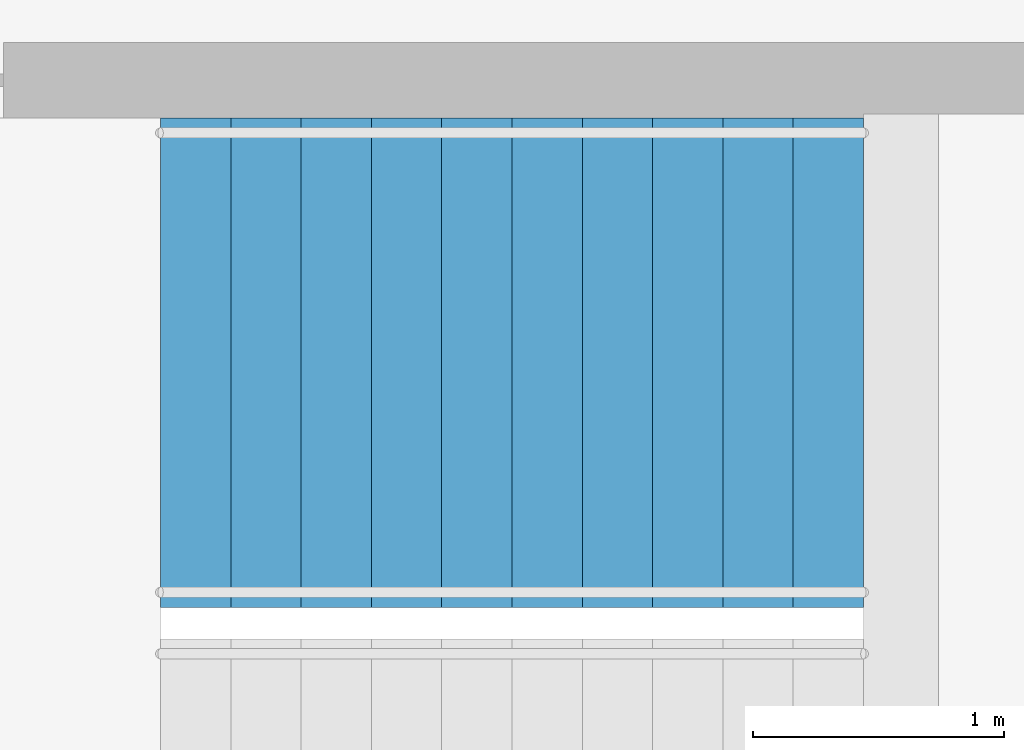
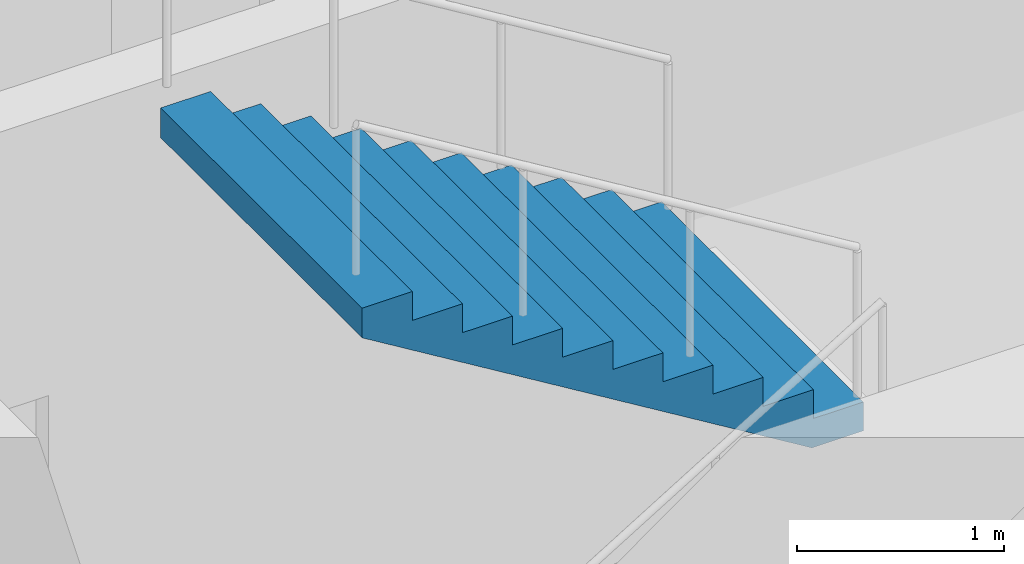
# One storey, part 20 of 23: 1 stair flight, 1 element without a shape of its own.
"""IFC4 building model written with IfcOpenShell, lengths in metres."""

from ifc_helpers import new_model, si_unit, direction, frame, origin, place, context, subcontext, project, spatial, triangles, material, type_object, element, aggregate, save


model = new_model("IFC4")

# Units and contexts
model_context = context("Model", 3, precision=1e-05, world=origin(), true_north=direction((0.0, 1.0)))
body_context = subcontext(model_context, "Body", "Model", "MODEL_VIEW")
ifc_project = project(units=[si_unit("LENGTHUNIT", "METRE"), si_unit("AREAUNIT", "SQUARE_METRE"), si_unit("VOLUMEUNIT", "CUBIC_METRE"), si_unit("PLANEANGLEUNIT", "RADIAN"), si_unit("MASSUNIT", "GRAM", prefix="KILO")], contexts=[model_context])

# Site, building, storey
site_placement = place(None, origin())
site = spatial("IfcSite", under=ifc_project, at=site_placement, CompositionType="ELEMENT")
building_placement = place(site_placement, origin())
building = spatial("IfcBuilding", under=site, at=building_placement, Name="Orbita Commons", CompositionType="ELEMENT")
storey_placement = place(building_placement, frame((0.0, 0.0, 171.10009765625)))
storey = spatial("IfcBuildingStorey", under=building, at=storey_placement, Name="L42", CompositionType="ELEMENT", Elevation=171.10009765625)

# Stair, stair flight
ifc_material_1 = material(Name="Precast concrete C40/50", Category="concrete")
stair_type = type_object("IfcStairType", Name="Exit stair S1 2 flights 11 risers 170", PredefinedType="HALF_TURN_STAIR", material=ifc_material_1)
stair_placement = place(storey_placement, origin())
stair = element("IfcStair", 1, at=stair_placement, inside=storey, type_object=stair_type, Name="Exit stair S1 L42", PredefinedType="HALF_TURN_STAIR")
ifc_material_2 = material(Name="Precast concrete C40/50", Category="concrete")
stair_flight_type = type_object("IfcStairFlightType", Name="Stair flight 11 risers 170 x 280", PredefinedType="STRAIGHT", material=ifc_material_2)
stair_flight_placement = place(storey_placement, frame((23.25, 29.27490234375, 1.875), z_axis=(0.0, 0.0, 1.0), x_axis=(-1.0, 0.0, 0.0)))
stair_flight = element("IfcStairFlight", 2, at=stair_flight_placement, type_object=stair_flight_type, Name="S1 flight 2", NumberOfRisers=11, NumberOfTreads=10, PredefinedType="STRAIGHT", RiserHeight=0.170454545, TreadLength=0.28, context=body_context, shape_type="Tessellation", body=[
    triangles([(0.0, 0.974976, 0.0), (0.0, 0.974976, 0.021307), (0.0, 0.81248, 0.021307), (0.0, 0.81248, 0.0), (0.0, 0.649984, 0.021307), (0.0, 0.649984, 0.0), (0.0, 0.487488, 0.021307), (0.0, 0.487488, 0.0), (0.0, 0.324992, 0.021307), (0.0, 0.324992, 0.0), (0.0, 0.162496, 0.021307), (0.0, 0.162496, 0.0), (0.0, 0.0, 0.021307), (0.0, 0.0, 0.0), (0.0, -0.162496, 0.021307), (0.0, -0.162496, 0.0), (0.0, -0.324992, 0.021307), (0.0, -0.324992, 0.0), (0.0, -0.487488, 0.021307), (0.0, -0.487488, 0.0), (0.0, -0.649984, 0.021307), (0.0, -0.649984, 0.0), (0.0, -0.81248, 0.021307), (0.0, -0.81248, 0.0), (0.0, -0.974976, 0.021307), (0.0, -0.974976, 0.0), (0.0, 0.974976, 0.042614), (0.0, 0.81248, 0.042614), (0.0, 0.649984, 0.042614), (0.0, 0.487488, 0.042614), (0.0, 0.324992, 0.042614), (0.0, 0.162496, 0.042614), (0.0, 0.0, 0.042614), (0.0, -0.162496, 0.042614), (0.0, -0.324992, 0.042614), (0.0, -0.487488, 0.042614), (0.0, -0.649984, 0.042614), (0.0, -0.81248, 0.042614), (0.0, -0.974976, 0.042614), (0.0, 0.974976, 0.06392), (0.0, 0.81248, 0.06392), (0.0, 0.649984, 0.06392), (0.0, 0.487488, 0.06392), (0.0, 0.324992, 0.06392), (0.0, 0.162496, 0.06392), (0.0, 0.0, 0.06392), (0.0, -0.162496, 0.06392), (0.0, -0.324992, 0.06392), (0.0, -0.487488, 0.06392), (0.0, -0.649984, 0.06392), (0.0, -0.81248, 0.06392), (0.0, -0.974976, 0.06392), (0.0, 0.974976, 0.085227), (0.0, 0.81248, 0.085227), (0.0, 0.649984, 0.085227), (0.0, 0.487488, 0.085227), (0.0, 0.324992, 0.085227), (0.0, 0.162496, 0.085227), (0.0, 0.0, 0.085227), (0.0, -0.162496, 0.085227), (0.0, -0.324992, 0.085227), (0.0, -0.487488, 0.085227), (0.0, -0.649984, 0.085227), (0.0, -0.81248, 0.085227), (0.0, -0.974976, 0.085227), (0.0, 0.974976, 0.106534), (0.0, 0.81248, 0.106534), (0.0, 0.649984, 0.106534), (0.0, 0.487488, 0.106534), (0.0, 0.324992, 0.106534), (0.0, 0.162496, 0.106534), (0.0, 0.0, 0.106534), (0.0, -0.162496, 0.106534), (0.0, -0.324992, 0.106534), (0.0, -0.487488, 0.106534), (0.0, -0.649984, 0.106534), (0.0, -0.81248, 0.106534), (0.0, -0.974976, 0.106534), (0.0, 0.974976, 0.127841), (0.0, 0.81248, 0.127841), (0.0, 0.649984, 0.127841), (0.0, 0.487488, 0.127841), (0.0, 0.324992, 0.127841), (0.0, 0.162496, 0.127841), (0.0, 0.0, 0.127841), (0.0, -0.162496, 0.127841), (0.0, -0.324992, 0.127841), (0.0, -0.487488, 0.127841), (0.0, -0.649984, 0.127841), (0.0, -0.81248, 0.127841), (0.0, -0.974976, 0.127841), (0.0, 0.974976, 0.149148), (0.0, 0.81248, 0.149148), (0.0, 0.649984, 0.149148), (0.0, 0.487488, 0.149148), (0.0, 0.324992, 0.149148), (0.0, 0.162496, 0.149148), (0.0, 0.0, 0.149148), (0.0, -0.162496, 0.149148), (0.0, -0.324992, 0.149148), (0.0, -0.487488, 0.149148), (0.0, -0.649984, 0.149148), (0.0, -0.81248, 0.149148), (0.0, -0.974976, 0.149148), (0.0, 0.974976, 0.170455), (0.0, 0.81248, 0.170455), (0.0, 0.649984, 0.170455), (0.0, 0.487488, 0.170455), (0.0, 0.324992, 0.170455), (0.0, 0.162496, 0.170455), (0.0, 0.0, 0.170455), (0.0, -0.162496, 0.170455), (0.0, -0.324992, 0.170455), (0.0, -0.487488, 0.170455), (0.0, -0.649984, 0.170455), (0.0, -0.81248, 0.170455), (0.0, -0.974976, 0.170455), (0.28, 0.974976, 0.170455), (0.28, 0.81248, 0.170455), (0.28, 0.649984, 0.170455), (0.28, 0.487488, 0.170455), (0.28, 0.324992, 0.170455), (0.28, 0.162496, 0.170455), (0.28, 0.0, 0.170455), (0.28, -0.162496, 0.170455), (0.28, -0.324992, 0.170455), (0.28, -0.487488, 0.170455), (0.28, -0.649984, 0.170455), (0.28, -0.81248, 0.170455), (0.28, -0.974976, 0.170455), (0.28, 0.974976, 0.340909), (0.28, 0.81248, 0.340909), (0.28, 0.649984, 0.340909), (0.28, 0.487488, 0.340909), (0.28, 0.324992, 0.340909), (0.28, 0.162496, 0.340909), (0.28, 0.0, 0.340909), (0.28, -0.162496, 0.340909), (0.28, -0.324992, 0.340909), (0.28, -0.487488, 0.340909), (0.28, -0.649984, 0.340909), (0.28, -0.81248, 0.340909), (0.28, -0.974976, 0.340909), (0.56, 0.974976, 0.340909), (0.56, 0.81248, 0.340909), (0.56, 0.649984, 0.340909), (0.56, 0.487488, 0.340909), (0.56, 0.324992, 0.340909), (0.56, 0.162496, 0.340909), (0.56, 0.0, 0.340909), (0.56, -0.162496, 0.340909), (0.56, -0.324992, 0.340909), (0.56, -0.487488, 0.340909), (0.56, -0.649984, 0.340909), (0.56, -0.81248, 0.340909), (0.56, -0.974976, 0.340909), (0.56, 0.974976, 0.511364), (0.56, 0.81248, 0.511364), (0.56, 0.649984, 0.511364), (0.56, 0.487488, 0.511364), (0.56, 0.324992, 0.511364), (0.56, 0.162496, 0.511364), (0.56, 0.0, 0.511364), (0.56, -0.162496, 0.511364), (0.56, -0.324992, 0.511364), (0.56, -0.487488, 0.511364), (0.56, -0.649984, 0.511364), (0.56, -0.81248, 0.511364), (0.56, -0.974976, 0.511364), (0.84, 0.974976, 0.511364), (0.84, 0.81248, 0.511364), (0.84, 0.649984, 0.511364), (0.84, 0.487488, 0.511364), (0.84, 0.324992, 0.511364), (0.84, 0.162496, 0.511364), (0.84, 0.0, 0.511364), (0.84, -0.162496, 0.511364), (0.84, -0.324992, 0.511364), (0.84, -0.487488, 0.511364), (0.84, -0.649984, 0.511364), (0.84, -0.81248, 0.511364), (0.84, -0.974976, 0.511364), (0.84, 0.974976, 0.681818), (0.84, 0.81248, 0.681818), (0.84, 0.649984, 0.681818), (0.84, 0.487488, 0.681818), (0.84, 0.324992, 0.681818), (0.84, 0.162496, 0.681818), (0.84, 0.0, 0.681818), (0.84, -0.162496, 0.681818), (0.84, -0.324992, 0.681818), (0.84, -0.487488, 0.681818), (0.84, -0.649984, 0.681818), (0.84, -0.81248, 0.681818), (0.84, -0.974976, 0.681818), (1.12, 0.974976, 0.681818), (1.12, 0.81248, 0.681818), (1.12, 0.649984, 0.681818), (1.12, 0.487488, 0.681818), (1.12, 0.324992, 0.681818), (1.12, 0.162496, 0.681818), (1.12, 0.0, 0.681818), (1.12, -0.162496, 0.681818), (1.12, -0.324992, 0.681818), (1.12, -0.487488, 0.681818), (1.12, -0.649984, 0.681818), (1.12, -0.81248, 0.681818), (1.12, -0.974976, 0.681818), (1.12, 0.974976, 0.852273), (1.12, 0.81248, 0.852273), (1.12, 0.649984, 0.852273), (1.12, 0.487488, 0.852273), (1.12, 0.324992, 0.852273), (1.12, 0.162496, 0.852273), (1.12, 0.0, 0.852273), (1.12, -0.162496, 0.852273), (1.12, -0.324992, 0.852273), (1.12, -0.487488, 0.852273), (1.12, -0.649984, 0.852273), (1.12, -0.81248, 0.852273), (1.12, -0.974976, 0.852273), (1.4, 0.974976, 0.852273), (1.4, 0.81248, 0.852273), (1.4, 0.649984, 0.852273), (1.4, 0.487488, 0.852273), (1.4, 0.324992, 0.852273), (1.4, 0.162496, 0.852273), (1.4, 0.0, 0.852273), (1.4, -0.162496, 0.852273), (1.4, -0.324992, 0.852273), (1.4, -0.487488, 0.852273), (1.4, -0.649984, 0.852273), (1.4, -0.81248, 0.852273), (1.4, -0.974976, 0.852273), (1.4, 0.974976, 1.022727), (1.4, 0.81248, 1.022727), (1.4, 0.649984, 1.022727), (1.4, 0.487488, 1.022727), (1.4, 0.324992, 1.022727), (1.4, 0.162496, 1.022727), (1.4, 0.0, 1.022727), (1.4, -0.162496, 1.022727), (1.4, -0.324992, 1.022727), (1.4, -0.487488, 1.022727), (1.4, -0.649984, 1.022727), (1.4, -0.81248, 1.022727), (1.4, -0.974976, 1.022727), (1.68, 0.974976, 1.022727), (1.68, 0.81248, 1.022727), (1.68, 0.649984, 1.022727), (1.68, 0.487488, 1.022727), (1.68, 0.324992, 1.022727), (1.68, 0.162496, 1.022727), (1.68, 0.0, 1.022727), (1.68, -0.162496, 1.022727), (1.68, -0.324992, 1.022727), (1.68, -0.487488, 1.022727), (1.68, -0.649984, 1.022727), (1.68, -0.81248, 1.022727), (1.68, -0.974976, 1.022727), (1.68, 0.974976, 1.193182), (1.68, 0.81248, 1.193182), (1.68, 0.649984, 1.193182), (1.68, 0.487488, 1.193182), (1.68, 0.324992, 1.193182), (1.68, 0.162496, 1.193182), (1.68, 0.0, 1.193182), (1.68, -0.162496, 1.193182), (1.68, -0.324992, 1.193182), (1.68, -0.487488, 1.193182), (1.68, -0.649984, 1.193182), (1.68, -0.81248, 1.193182), (1.68, -0.974976, 1.193182), (1.96, 0.974976, 1.193182), (1.96, 0.81248, 1.193182), (1.96, 0.649984, 1.193182), (1.96, 0.487488, 1.193182), (1.96, 0.324992, 1.193182), (1.96, 0.162496, 1.193182), (1.96, 0.0, 1.193182), (1.96, -0.162496, 1.193182), (1.96, -0.324992, 1.193182), (1.96, -0.487488, 1.193182), (1.96, -0.649984, 1.193182), (1.96, -0.81248, 1.193182), (1.96, -0.974976, 1.193182), (1.96, 0.974976, 1.363636), (1.96, 0.81248, 1.363636), (1.96, 0.649984, 1.363636), (1.96, 0.487488, 1.363636), (1.96, 0.324992, 1.363636), (1.96, 0.162496, 1.363636), (1.96, 0.0, 1.363636), (1.96, -0.162496, 1.363636), (1.96, -0.324992, 1.363636), (1.96, -0.487488, 1.363636), (1.96, -0.649984, 1.363636), (1.96, -0.81248, 1.363636), (1.96, -0.974976, 1.363636), (2.24, 0.974976, 1.363636), (2.24, 0.81248, 1.363636), (2.24, 0.649984, 1.363636), (2.24, 0.487488, 1.363636), (2.24, 0.324992, 1.363636), (2.24, 0.162496, 1.363636), (2.24, 0.0, 1.363636), (2.24, -0.162496, 1.363636), (2.24, -0.324992, 1.363636), (2.24, -0.487488, 1.363636), (2.24, -0.649984, 1.363636), (2.24, -0.81248, 1.363636), (2.24, -0.974976, 1.363636), (2.24, 0.974976, 1.534091), (2.24, 0.81248, 1.534091), (2.24, 0.649984, 1.534091), (2.24, 0.487488, 1.534091), (2.24, 0.324992, 1.534091), (2.24, 0.162496, 1.534091), (2.24, 0.0, 1.534091), (2.24, -0.162496, 1.534091), (2.24, -0.324992, 1.534091), (2.24, -0.487488, 1.534091), (2.24, -0.649984, 1.534091), (2.24, -0.81248, 1.534091), (2.24, -0.974976, 1.534091), (2.52, 0.974976, 1.534091), (2.52, 0.81248, 1.534091), (2.52, 0.649984, 1.534091), (2.52, 0.487488, 1.534091), (2.52, 0.324992, 1.534091), (2.52, 0.162496, 1.534091), (2.52, 0.0, 1.534091), (2.52, -0.162496, 1.534091), (2.52, -0.324992, 1.534091), (2.52, -0.487488, 1.534091), (2.52, -0.649984, 1.534091), (2.52, -0.81248, 1.534091), (2.52, -0.974976, 1.534091), (2.52, 0.974976, 1.704545), (2.52, 0.81248, 1.704545), (2.52, 0.649984, 1.704545), (2.52, 0.487488, 1.704545), (2.52, 0.324992, 1.704545), (2.52, 0.162496, 1.704545), (2.52, 0.0, 1.704545), (2.52, -0.162496, 1.704545), (2.52, -0.324992, 1.704545), (2.52, -0.487488, 1.704545), (2.52, -0.649984, 1.704545), (2.52, -0.81248, 1.704545), (2.52, -0.974976, 1.704545), (2.8, 0.974976, 1.704545), (2.8, 0.81248, 1.704545), (2.8, 0.649984, 1.704545), (2.8, 0.487488, 1.704545), (2.8, 0.324992, 1.704545), (2.8, 0.162496, 1.704545), (2.8, 0.0, 1.704545), (2.8, -0.162496, 1.704545), (2.8, -0.324992, 1.704545), (2.8, -0.487488, 1.704545), (2.8, -0.649984, 1.704545), (2.8, -0.81248, 1.704545), (2.8, -0.974976, 1.704545), (2.8, 0.974976, 1.682609), (2.8, 0.81248, 1.682609), (2.8, 0.649984, 1.682609), (2.8, 0.487488, 1.682609), (2.8, 0.324992, 1.682609), (2.8, 0.162496, 1.682609), (2.8, 0.0, 1.682609), (2.8, -0.162496, 1.682609), (2.8, -0.324992, 1.682609), (2.8, -0.487488, 1.682609), (2.8, -0.649984, 1.682609), (2.8, -0.81248, 1.682609), (2.8, -0.974976, 1.682609), (2.8, 0.974976, 1.660672), (2.8, 0.81248, 1.660672), (2.8, 0.649984, 1.660672), (2.8, 0.487488, 1.660672), (2.8, 0.324992, 1.660672), (2.8, 0.162496, 1.660672), (2.8, 0.0, 1.660672), (2.8, -0.162496, 1.660672), (2.8, -0.324992, 1.660672), (2.8, -0.487488, 1.660672), (2.8, -0.649984, 1.660672), (2.8, -0.81248, 1.660672), (2.8, -0.974976, 1.660672), (2.8, 0.974976, 1.638735), (2.8, 0.81248, 1.638735), (2.8, 0.649984, 1.638735), (2.8, 0.487488, 1.638735), (2.8, 0.324992, 1.638735), (2.8, 0.162496, 1.638735), (2.8, 0.0, 1.638735), (2.8, -0.162496, 1.638735), (2.8, -0.324992, 1.638735), (2.8, -0.487488, 1.638735), (2.8, -0.649984, 1.638735), (2.8, -0.81248, 1.638735), (2.8, -0.974976, 1.638735), (2.8, 0.974976, 1.616798), (2.8, 0.81248, 1.616798), (2.8, 0.649984, 1.616798), (2.8, 0.487488, 1.616798), (2.8, 0.324992, 1.616798), (2.8, 0.162496, 1.616798), (2.8, 0.0, 1.616798), (2.8, -0.162496, 1.616798), (2.8, -0.324992, 1.616798), (2.8, -0.487488, 1.616798), (2.8, -0.649984, 1.616798), (2.8, -0.81248, 1.616798), (2.8, -0.974976, 1.616798), (2.8, 0.974976, 1.594861), (2.8, 0.81248, 1.594861), (2.8, 0.649984, 1.594861), (2.8, 0.487488, 1.594861), (2.8, 0.324992, 1.594861), (2.8, 0.162496, 1.594861), (2.8, 0.0, 1.594861), (2.8, -0.162496, 1.594861), (2.8, -0.324992, 1.594861), (2.8, -0.487488, 1.594861), (2.8, -0.649984, 1.594861), (2.8, -0.81248, 1.594861), (2.8, -0.974976, 1.594861), (2.8, 0.974976, 1.572925), (2.8, 0.81248, 1.572925), (2.8, 0.649984, 1.572925), (2.8, 0.487488, 1.572925), (2.8, 0.324992, 1.572925), (2.8, 0.162496, 1.572925), (2.8, 0.0, 1.572925), (2.8, -0.162496, 1.572925), (2.8, -0.324992, 1.572925), (2.8, -0.487488, 1.572925), (2.8, -0.649984, 1.572925), (2.8, -0.81248, 1.572925), (2.8, -0.974976, 1.572925), (2.8, 0.974976, 1.550988), (2.8, 0.81248, 1.550988), (2.8, 0.649984, 1.550988), (2.8, 0.487488, 1.550988), (2.8, 0.324992, 1.550988), (2.8, 0.162496, 1.550988), (2.8, 0.0, 1.550988), (2.8, -0.162496, 1.550988), (2.8, -0.324992, 1.550988), (2.8, -0.487488, 1.550988), (2.8, -0.649984, 1.550988), (2.8, -0.81248, 1.550988), (2.8, -0.974976, 1.550988), (2.8, 0.974976, 1.529051), (2.8, 0.81248, 1.529051), (2.8, 0.649984, 1.529051), (2.8, 0.487488, 1.529051), (2.8, 0.324992, 1.529051), (2.8, 0.162496, 1.529051), (2.8, 0.0, 1.529051), (2.8, -0.162496, 1.529051), (2.8, -0.324992, 1.529051), (2.8, -0.487488, 1.529051), (2.8, -0.649984, 1.529051), (2.8, -0.81248, 1.529051), (2.8, -0.974976, 1.529051), (0.288279, 0.974976, 0.0), (0.288279, 0.81248, 0.0), (0.288279, 0.649984, 0.0), (0.288279, 0.487488, 0.0), (0.288279, 0.324992, 0.0), (0.288279, 0.162496, 0.0), (0.288279, 0.0, 0.0), (0.288279, -0.162496, 0.0), (0.288279, -0.324992, 0.0), (0.288279, -0.487488, 0.0), (0.288279, -0.649984, 0.0), (0.288279, -0.81248, 0.0), (0.288279, -0.974976, 0.0)], [[3, 2, 1], [4, 3, 1], [5, 3, 4], [6, 5, 4], [7, 5, 6], [8, 7, 6], [9, 7, 8], [10, 9, 8], [11, 9, 10], [12, 11, 10], [13, 11, 12], [14, 13, 12], [15, 13, 14], [16, 15, 14], [17, 15, 16], [18, 17, 16], [19, 17, 18], [20, 19, 18], [21, 19, 20], [22, 21, 20], [23, 21, 22], [24, 23, 22], [25, 23, 24], [26, 25, 24], [28, 27, 2], [3, 28, 2], [29, 28, 3], [5, 29, 3], [30, 29, 5], [7, 30, 5], [31, 30, 7], [9, 31, 7], [32, 31, 9], [11, 32, 9], [33, 32, 11], [13, 33, 11], [34, 33, 13], [15, 34, 13], [35, 34, 15], [17, 35, 15], [36, 35, 17], [19, 36, 17], [37, 36, 19], [21, 37, 19], [38, 37, 21], [23, 38, 21], [39, 38, 23], [25, 39, 23], [41, 40, 27], [28, 41, 27], [42, 41, 28], [29, 42, 28], [43, 42, 29], [30, 43, 29], [44, 43, 30], [31, 44, 30], [45, 44, 31], [32, 45, 31], [46, 45, 32], [33, 46, 32], [47, 46, 33], [34, 47, 33], [48, 47, 34], [35, 48, 34], [49, 48, 35], [36, 49, 35], [50, 49, 36], [37, 50, 36], [51, 50, 37], [38, 51, 37], [52, 51, 38], [39, 52, 38], [54, 53, 40], [41, 54, 40], [55, 54, 41], [42, 55, 41], [56, 55, 42], [43, 56, 42], [57, 56, 43], [44, 57, 43], [58, 57, 44], [45, 58, 44], [59, 58, 45], [46, 59, 45], [60, 59, 46], [47, 60, 46], [61, 60, 47], [48, 61, 47], [62, 61, 48], [49, 62, 48], [63, 62, 49], [50, 63, 49], [64, 63, 50], [51, 64, 50], [65, 64, 51], [52, 65, 51], [67, 66, 53], [54, 67, 53], [68, 67, 54], [55, 68, 54], [69, 68, 55], [56, 69, 55], [70, 69, 56], [57, 70, 56], [71, 70, 57], [58, 71, 57], [72, 71, 58], [59, 72, 58], [73, 72, 59], [60, 73, 59], [74, 73, 60], [61, 74, 60], [75, 74, 61], [62, 75, 61], [76, 75, 62], [63, 76, 62], [77, 76, 63], [64, 77, 63], [78, 77, 64], [65, 78, 64], [80, 79, 66], [67, 80, 66], [81, 80, 67], [68, 81, 67], [82, 81, 68], [69, 82, 68], [83, 82, 69], [70, 83, 69], [84, 83, 70], [71, 84, 70], [85, 84, 71], [72, 85, 71], [86, 85, 72], [73, 86, 72], [87, 86, 73], [74, 87, 73], [88, 87, 74], [75, 88, 74], [89, 88, 75], [76, 89, 75], [90, 89, 76], [77, 90, 76], [91, 90, 77], [78, 91, 77], [93, 92, 79], [80, 93, 79], [94, 93, 80], [81, 94, 80], [95, 94, 81], [82, 95, 81], [96, 95, 82], [83, 96, 82], [97, 96, 83], [84, 97, 83], [98, 97, 84], [85, 98, 84], [99, 98, 85], [86, 99, 85], [100, 99, 86], [87, 100, 86], [101, 100, 87], [88, 101, 87], [102, 101, 88], [89, 102, 88], [103, 102, 89], [90, 103, 89], [104, 103, 90], [91, 104, 90], [106, 105, 92], [93, 106, 92], [107, 106, 93], [94, 107, 93], [108, 107, 94], [95, 108, 94], [109, 108, 95], [96, 109, 95], [110, 109, 96], [97, 110, 96], [111, 110, 97], [98, 111, 97], [112, 111, 98], [99, 112, 98], [113, 112, 99], [100, 113, 99], [114, 113, 100], [101, 114, 100], [115, 114, 101], [102, 115, 101], [116, 115, 102], [103, 116, 102], [117, 116, 103], [104, 117, 103], [119, 118, 105], [106, 119, 105], [120, 119, 106], [107, 120, 106], [121, 120, 107], [108, 121, 107], [122, 121, 108], [109, 122, 108], [123, 122, 109], [110, 123, 109], [124, 123, 110], [111, 124, 110], [125, 124, 111], [112, 125, 111], [126, 125, 112], [113, 126, 112], [127, 126, 113], [114, 127, 113], [128, 127, 114], [115, 128, 114], [129, 128, 115], [116, 129, 115], [130, 129, 116], [117, 130, 116], [132, 131, 118], [119, 132, 118], [133, 132, 119], [120, 133, 119], [134, 133, 120], [121, 134, 120], [135, 134, 121], [122, 135, 121], [136, 135, 122], [123, 136, 122], [137, 136, 123], [124, 137, 123], [138, 137, 124], [125, 138, 124], [139, 138, 125], [126, 139, 125], [140, 139, 126], [127, 140, 126], [141, 140, 127], [128, 141, 127], [142, 141, 128], [129, 142, 128], [143, 142, 129], [130, 143, 129], [145, 144, 131], [132, 145, 131], [146, 145, 132], [133, 146, 132], [147, 146, 133], [134, 147, 133], [148, 147, 134], [135, 148, 134], [149, 148, 135], [136, 149, 135], [150, 149, 136], [137, 150, 136], [151, 150, 137], [138, 151, 137], [152, 151, 138], [139, 152, 138], [153, 152, 139], [140, 153, 139], [154, 153, 140], [141, 154, 140], [155, 154, 141], [142, 155, 141], [156, 155, 142], [143, 156, 142], [158, 157, 144], [145, 158, 144], [159, 158, 145], [146, 159, 145], [160, 159, 146], [147, 160, 146], [161, 160, 147], [148, 161, 147], [162, 161, 148], [149, 162, 148], [163, 162, 149], [150, 163, 149], [164, 163, 150], [151, 164, 150], [165, 164, 151], [152, 165, 151], [166, 165, 152], [153, 166, 152], [167, 166, 153], [154, 167, 153], [168, 167, 154], [155, 168, 154], [169, 168, 155], [156, 169, 155], [171, 170, 157], [158, 171, 157], [172, 171, 158], [159, 172, 158], [173, 172, 159], [160, 173, 159], [174, 173, 160], [161, 174, 160], [175, 174, 161], [162, 175, 161], [176, 175, 162], [163, 176, 162], [177, 176, 163], [164, 177, 163], [178, 177, 164], [165, 178, 164], [179, 178, 165], [166, 179, 165], [180, 179, 166], [167, 180, 166], [181, 180, 167], [168, 181, 167], [182, 181, 168], [169, 182, 168], [184, 183, 170], [171, 184, 170], [185, 184, 171], [172, 185, 171], [186, 185, 172], [173, 186, 172], [187, 186, 173], [174, 187, 173], [188, 187, 174], [175, 188, 174], [189, 188, 175], [176, 189, 175], [190, 189, 176], [177, 190, 176], [191, 190, 177], [178, 191, 177], [192, 191, 178], [179, 192, 178], [193, 192, 179], [180, 193, 179], [194, 193, 180], [181, 194, 180], [195, 194, 181], [182, 195, 181], [197, 196, 183], [184, 197, 183], [198, 197, 184], [185, 198, 184], [199, 198, 185], [186, 199, 185], [200, 199, 186], [187, 200, 186], [201, 200, 187], [188, 201, 187], [202, 201, 188], [189, 202, 188], [203, 202, 189], [190, 203, 189], [204, 203, 190], [191, 204, 190], [205, 204, 191], [192, 205, 191], [206, 205, 192], [193, 206, 192], [207, 206, 193], [194, 207, 193], [208, 207, 194], [195, 208, 194], [210, 209, 196], [197, 210, 196], [211, 210, 197], [198, 211, 197], [212, 211, 198], [199, 212, 198], [213, 212, 199], [200, 213, 199], [214, 213, 200], [201, 214, 200], [215, 214, 201], [202, 215, 201], [216, 215, 202], [203, 216, 202], [217, 216, 203], [204, 217, 203], [218, 217, 204], [205, 218, 204], [219, 218, 205], [206, 219, 205], [220, 219, 206], [207, 220, 206], [221, 220, 207], [208, 221, 207], [223, 222, 209], [210, 223, 209], [224, 223, 210], [211, 224, 210], [225, 224, 211], [212, 225, 211], [226, 225, 212], [213, 226, 212], [227, 226, 213], [214, 227, 213], [228, 227, 214], [215, 228, 214], [229, 228, 215], [216, 229, 215], [230, 229, 216], [217, 230, 216], [231, 230, 217], [218, 231, 217], [232, 231, 218], [219, 232, 218], [233, 232, 219], [220, 233, 219], [234, 233, 220], [221, 234, 220], [236, 235, 222], [223, 236, 222], [237, 236, 223], [224, 237, 223], [238, 237, 224], [225, 238, 224], [239, 238, 225], [226, 239, 225], [240, 239, 226], [227, 240, 226], [241, 240, 227], [228, 241, 227], [242, 241, 228], [229, 242, 228], [243, 242, 229], [230, 243, 229], [244, 243, 230], [231, 244, 230], [245, 244, 231], [232, 245, 231], [246, 245, 232], [233, 246, 232], [247, 246, 233], [234, 247, 233], [249, 248, 235], [236, 249, 235], [250, 249, 236], [237, 250, 236], [251, 250, 237], [238, 251, 237], [252, 251, 238], [239, 252, 238], [253, 252, 239], [240, 253, 239], [254, 253, 240], [241, 254, 240], [255, 254, 241], [242, 255, 241], [256, 255, 242], [243, 256, 242], [257, 256, 243], [244, 257, 243], [258, 257, 244], [245, 258, 244], [259, 258, 245], [246, 259, 245], [260, 259, 246], [247, 260, 246], [262, 261, 248], [249, 262, 248], [263, 262, 249], [250, 263, 249], [264, 263, 250], [251, 264, 250], [265, 264, 251], [252, 265, 251], [266, 265, 252], [253, 266, 252], [267, 266, 253], [254, 267, 253], [268, 267, 254], [255, 268, 254], [269, 268, 255], [256, 269, 255], [270, 269, 256], [257, 270, 256], [271, 270, 257], [258, 271, 257], [272, 271, 258], [259, 272, 258], [273, 272, 259], [260, 273, 259], [275, 274, 261], [262, 275, 261], [276, 275, 262], [263, 276, 262], [277, 276, 263], [264, 277, 263], [278, 277, 264], [265, 278, 264], [279, 278, 265], [266, 279, 265], [280, 279, 266], [267, 280, 266], [281, 280, 267], [268, 281, 267], [282, 281, 268], [269, 282, 268], [283, 282, 269], [270, 283, 269], [284, 283, 270], [271, 284, 270], [285, 284, 271], [272, 285, 271], [286, 285, 272], [273, 286, 272], [288, 287, 274], [275, 288, 274], [289, 288, 275], [276, 289, 275], [290, 289, 276], [277, 290, 276], [291, 290, 277], [278, 291, 277], [292, 291, 278], [279, 292, 278], [293, 292, 279], [280, 293, 279], [294, 293, 280], [281, 294, 280], [295, 294, 281], [282, 295, 281], [296, 295, 282], [283, 296, 282], [297, 296, 283], [284, 297, 283], [298, 297, 284], [285, 298, 284], [299, 298, 285], [286, 299, 285], [301, 300, 287], [288, 301, 287], [302, 301, 288], [289, 302, 288], [303, 302, 289], [290, 303, 289], [304, 303, 290], [291, 304, 290], [305, 304, 291], [292, 305, 291], [306, 305, 292], [293, 306, 292], [307, 306, 293], [294, 307, 293], [308, 307, 294], [295, 308, 294], [309, 308, 295], [296, 309, 295], [310, 309, 296], [297, 310, 296], [311, 310, 297], [298, 311, 297], [312, 311, 298], [299, 312, 298], [314, 313, 300], [301, 314, 300], [315, 314, 301], [302, 315, 301], [316, 315, 302], [303, 316, 302], [317, 316, 303], [304, 317, 303], [318, 317, 304], [305, 318, 304], [319, 318, 305], [306, 319, 305], [320, 319, 306], [307, 320, 306], [321, 320, 307], [308, 321, 307], [322, 321, 308], [309, 322, 308], [323, 322, 309], [310, 323, 309], [324, 323, 310], [311, 324, 310], [325, 324, 311], [312, 325, 311], [327, 326, 313], [314, 327, 313], [328, 327, 314], [315, 328, 314], [329, 328, 315], [316, 329, 315], [330, 329, 316], [317, 330, 316], [331, 330, 317], [318, 331, 317], [332, 331, 318], [319, 332, 318], [333, 332, 319], [320, 333, 319], [334, 333, 320], [321, 334, 320], [335, 334, 321], [322, 335, 321], [336, 335, 322], [323, 336, 322], [337, 336, 323], [324, 337, 323], [338, 337, 324], [325, 338, 324], [340, 339, 326], [327, 340, 326], [341, 340, 327], [328, 341, 327], [342, 341, 328], [329, 342, 328], [343, 342, 329], [330, 343, 329], [344, 343, 330], [331, 344, 330], [345, 344, 331], [332, 345, 331], [346, 345, 332], [333, 346, 332], [347, 346, 333], [334, 347, 333], [348, 347, 334], [335, 348, 334], [349, 348, 335], [336, 349, 335], [350, 349, 336], [337, 350, 336], [351, 350, 337], [338, 351, 337], [353, 352, 339], [340, 353, 339], [354, 353, 340], [341, 354, 340], [355, 354, 341], [342, 355, 341], [356, 355, 342], [343, 356, 342], [357, 356, 343], [344, 357, 343], [358, 357, 344], [345, 358, 344], [359, 358, 345], [346, 359, 345], [360, 359, 346], [347, 360, 346], [361, 360, 347], [348, 361, 347], [362, 361, 348], [349, 362, 348], [363, 362, 349], [350, 363, 349], [364, 363, 350], [351, 364, 350], [366, 365, 352], [353, 366, 352], [367, 366, 353], [354, 367, 353], [368, 367, 354], [355, 368, 354], [369, 368, 355], [356, 369, 355], [370, 369, 356], [357, 370, 356], [371, 370, 357], [358, 371, 357], [372, 371, 358], [359, 372, 358], [373, 372, 359], [360, 373, 359], [374, 373, 360], [361, 374, 360], [375, 374, 361], [362, 375, 361], [376, 375, 362], [363, 376, 362], [377, 376, 363], [364, 377, 363], [379, 378, 365], [366, 379, 365], [380, 379, 366], [367, 380, 366], [381, 380, 367], [368, 381, 367], [382, 381, 368], [369, 382, 368], [383, 382, 369], [370, 383, 369], [384, 383, 370], [371, 384, 370], [385, 384, 371], [372, 385, 371], [386, 385, 372], [373, 386, 372], [387, 386, 373], [374, 387, 373], [388, 387, 374], [375, 388, 374], [389, 388, 375], [376, 389, 375], [390, 389, 376], [377, 390, 376], [392, 391, 378], [379, 392, 378], [393, 392, 379], [380, 393, 379], [394, 393, 380], [381, 394, 380], [395, 394, 381], [382, 395, 381], [396, 395, 382], [383, 396, 382], [397, 396, 383], [384, 397, 383], [398, 397, 384], [385, 398, 384], [399, 398, 385], [386, 399, 385], [400, 399, 386], [387, 400, 386], [401, 400, 387], [388, 401, 387], [402, 401, 388], [389, 402, 388], [403, 402, 389], [390, 403, 389], [405, 404, 391], [392, 405, 391], [406, 405, 392], [393, 406, 392], [407, 406, 393], [394, 407, 393], [408, 407, 394], [395, 408, 394], [409, 408, 395], [396, 409, 395], [410, 409, 396], [397, 410, 396], [411, 410, 397], [398, 411, 397], [412, 411, 398], [399, 412, 398], [413, 412, 399], [400, 413, 399], [414, 413, 400], [401, 414, 400], [415, 414, 401], [402, 415, 401], [416, 415, 402], [403, 416, 402], [418, 417, 404], [405, 418, 404], [419, 418, 405], [406, 419, 405], [420, 419, 406], [407, 420, 406], [421, 420, 407], [408, 421, 407], [422, 421, 408], [409, 422, 408], [423, 422, 409], [410, 423, 409], [424, 423, 410], [411, 424, 410], [425, 424, 411], [412, 425, 411], [426, 425, 412], [413, 426, 412], [427, 426, 413], [414, 427, 413], [428, 427, 414], [415, 428, 414], [429, 428, 415], [416, 429, 415], [431, 430, 417], [418, 431, 417], [432, 431, 418], [419, 432, 418], [433, 432, 419], [420, 433, 419], [434, 433, 420], [421, 434, 420], [435, 434, 421], [422, 435, 421], [436, 435, 422], [423, 436, 422], [437, 436, 423], [424, 437, 423], [438, 437, 424], [425, 438, 424], [439, 438, 425], [426, 439, 425], [440, 439, 426], [427, 440, 426], [441, 440, 427], [428, 441, 427], [442, 441, 428], [429, 442, 428], [444, 443, 430], [431, 444, 430], [445, 444, 431], [432, 445, 431], [446, 445, 432], [433, 446, 432], [447, 446, 433], [434, 447, 433], [448, 447, 434], [435, 448, 434], [449, 448, 435], [436, 449, 435], [450, 449, 436], [437, 450, 436], [451, 450, 437], [438, 451, 437], [452, 451, 438], [439, 452, 438], [453, 452, 439], [440, 453, 439], [454, 453, 440], [441, 454, 440], [455, 454, 441], [442, 455, 441], [457, 456, 443], [444, 457, 443], [458, 457, 444], [445, 458, 444], [459, 458, 445], [446, 459, 445], [460, 459, 446], [447, 460, 446], [461, 460, 447], [448, 461, 447], [462, 461, 448], [449, 462, 448], [463, 462, 449], [450, 463, 449], [464, 463, 450], [451, 464, 450], [465, 464, 451], [452, 465, 451], [466, 465, 452], [453, 466, 452], [467, 466, 453], [454, 467, 453], [468, 467, 454], [455, 468, 454], [470, 469, 456], [457, 470, 456], [471, 470, 457], [458, 471, 457], [472, 471, 458], [459, 472, 458], [473, 472, 459], [460, 473, 459], [474, 473, 460], [461, 474, 460], [475, 474, 461], [462, 475, 461], [476, 475, 462], [463, 476, 462], [477, 476, 463], [464, 477, 463], [478, 477, 464], [465, 478, 464], [479, 478, 465], [466, 479, 465], [480, 479, 466], [467, 480, 466], [481, 480, 467], [468, 481, 467], [4, 1, 469], [470, 4, 469], [6, 4, 470], [471, 6, 470], [8, 6, 471], [472, 8, 471], [10, 8, 472], [473, 10, 472], [12, 10, 473], [474, 12, 473], [14, 12, 474], [475, 14, 474], [16, 14, 475], [476, 16, 475], [18, 16, 476], [477, 18, 476], [20, 18, 477], [478, 20, 477], [22, 20, 478], [479, 22, 478], [24, 22, 479], [480, 24, 479], [26, 24, 480], [481, 26, 480], [456, 469, 1], [26, 481, 468], [443, 456, 1], [26, 468, 455], [430, 443, 1], [26, 455, 442], [417, 430, 1], [26, 442, 429], [404, 417, 1], [26, 429, 416], [391, 404, 1], [26, 416, 403], [378, 391, 1], [26, 403, 390], [365, 378, 1], [26, 390, 377], [339, 352, 365], [377, 364, 351], [326, 339, 365], [377, 351, 338], [300, 313, 326], [338, 325, 312], [300, 326, 365], [377, 338, 312], [274, 287, 300], [312, 299, 286], [274, 300, 365], [377, 312, 286], [248, 261, 274], [286, 273, 260], [248, 274, 365], [377, 286, 260], [222, 235, 248], [260, 247, 234], [222, 248, 365], [377, 260, 234], [196, 209, 222], [234, 221, 208], [196, 222, 365], [377, 234, 208], [170, 183, 196], [208, 195, 182], [170, 196, 365], [377, 208, 182], [144, 157, 170], [182, 169, 156], [144, 170, 365], [377, 182, 156], [118, 131, 144], [156, 143, 130], [118, 144, 365], [377, 156, 130], [118, 365, 1], [26, 377, 130], [92, 105, 118], [130, 117, 104], [79, 92, 118], [130, 104, 91], [66, 79, 118], [130, 91, 78], [53, 66, 118], [130, 78, 65], [40, 53, 118], [130, 65, 52], [27, 40, 118], [130, 52, 39], [2, 27, 118], [130, 39, 25], [1, 2, 118], [130, 25, 26]], closed=True),
])
aggregate(stair, [stair_flight])

save(model, "model.ifc")
